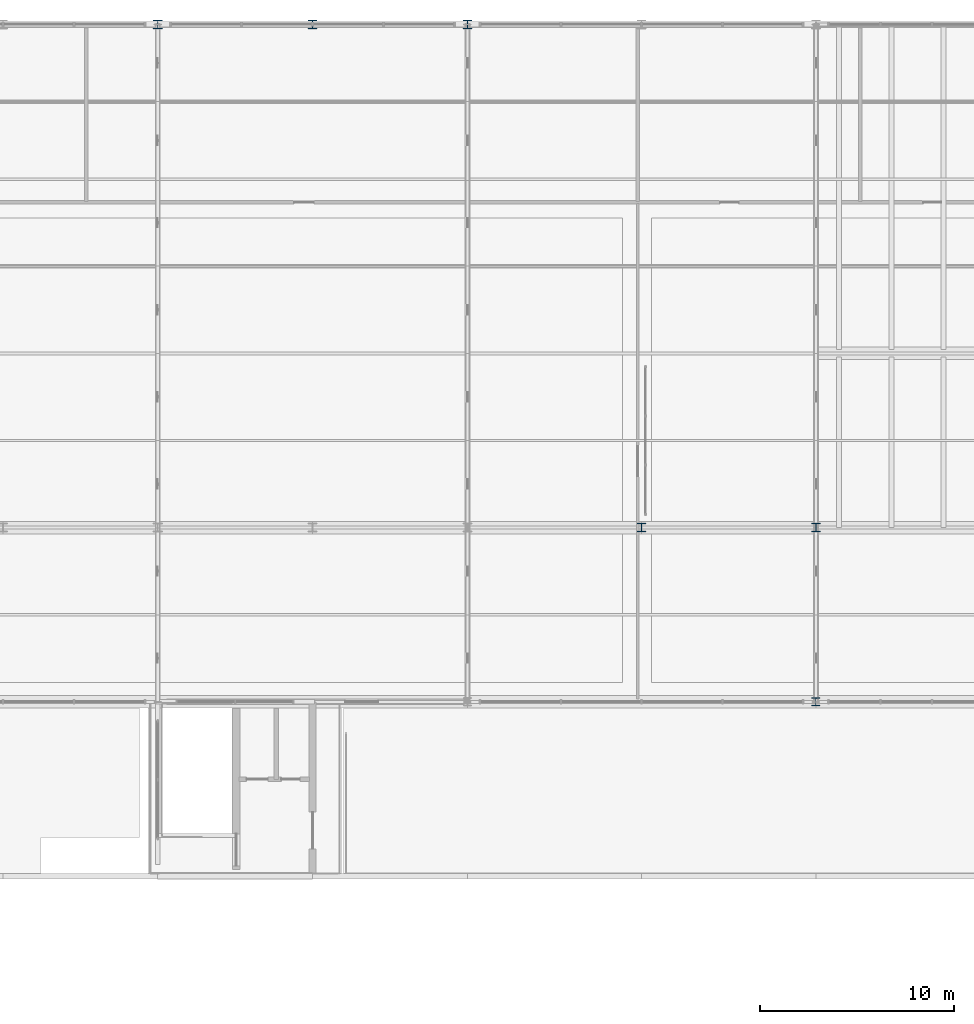
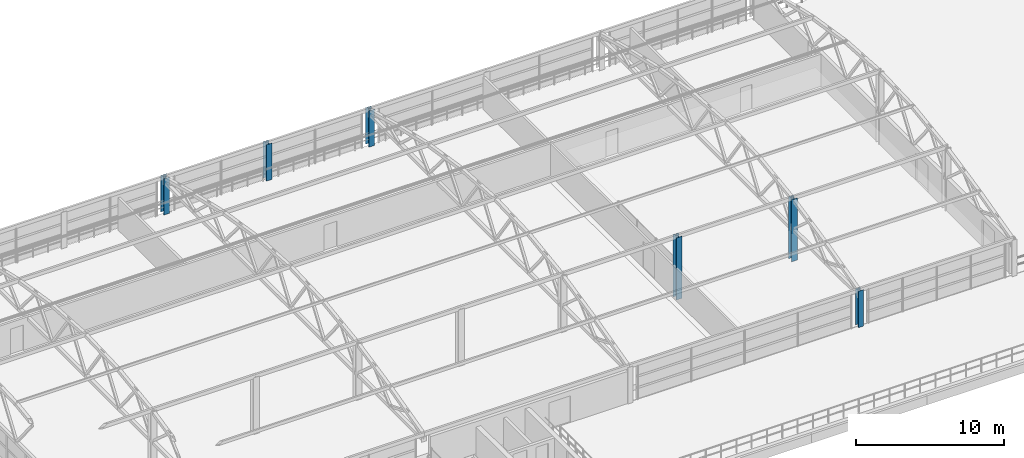
# One storey, part 4 of 50: 6 columns.
"""IFC4 building model written with IfcOpenShell, lengths in metres."""

from ifc_helpers import new_model, si_unit, derived_unit, direction, frame, origin, origin_2d, place, context, subcontext, project, spatial, i_section, extrude, material, material_profile, profile_set, type_object, element, save


model = new_model("IFC4")

# Units and contexts
model_context = context("Model", 3, precision=1e-05, world=origin(), true_north=direction((0.0, 1.0)))
body_context = subcontext(model_context, "Body", "Model", "MODEL_VIEW")
ifc_project = project(units=[si_unit("LENGTHUNIT", "METRE"), si_unit("AREAUNIT", "SQUARE_METRE"), si_unit("VOLUMEUNIT", "CUBIC_METRE"), si_unit("PLANEANGLEUNIT", "RADIAN"), si_unit("MASSUNIT", "GRAM", prefix="KILO"), si_unit("THERMODYNAMICTEMPERATUREUNIT", "KELVIN"), derived_unit("THERMALTRANSMITTANCEUNIT", [(si_unit("POWERUNIT", "WATT"), 1), (si_unit("AREAUNIT", "SQUARE_METRE"), -1), (si_unit("THERMODYNAMICTEMPERATUREUNIT", "KELVIN"), -1)])], contexts=[model_context])

# Site, building, storey
site_placement = place(None, origin())
site = spatial("IfcSite", under=ifc_project, at=site_placement, CompositionType="ELEMENT")
building_placement = place(site_placement, origin())
building = spatial("IfcBuilding", under=site, at=building_placement, Name="Haiyu Intermodal Mobility Hub", CompositionType="ELEMENT")
storey_placement = place(building_placement, frame((0.0, 0.0, 25.10009765625)))
storey = spatial("IfcBuildingStorey", under=building, at=storey_placement, Name="L06", CompositionType="ELEMENT", Elevation=25.10009765625)

# Columns
ifc_material = material(Name="Steel Q355C", Category="steel")
ifc_material_profile_1 = material_profile(ifc_material, i_section(OverallWidth=0.449951171875, OverallDepth=0.449951171875, WebThickness=0.01611328125, FlangeThickness=0.02587890625, FilletRadius=0.02197265625, at=origin_2d()), Name="HW450x450x16x26")
ifc_profile_set_1 = profile_set([ifc_material_profile_1], Name="Steel Q355C")
column_type_1 = type_object("IfcColumnType", Name="COL-SC04", PredefinedType="COLUMN", material=ifc_profile_set_1)
for number, where, z_axis, x_axis, name in (
    (1, (87.0, 122.0, 0.0), (0.0, 0.0, 1.0), (1.0, 0.0, 0.0), "Column V4-10P L06"),
    (2, (96.0, 122.0, 0.0), (0.0, 0.0, 1.0), (1.0, 0.0, 0.0), "Column V4-11P L06"),
):
    element("IfcColumn", number, at=place(storey_placement, frame(where, z_axis=z_axis, x_axis=x_axis)), inside=storey, type_object=column_type_1, Name=name, PredefinedType="COLUMN", context=body_context, shape_type="SweptSolid", body=[
        extrude(i_section(OverallWidth=0.449951171875, OverallDepth=0.449951171875, WebThickness=0.01611328125, FlangeThickness=0.02587890625, FilletRadius=0.02197265625, at=origin_2d()), origin(), (0.0, 0.0, 1.0), 5.121826171875),
    ])
ifc_material_profile_2 = material_profile(ifc_material, i_section(OverallWidth=0.449951171875, OverallDepth=0.449951171875, WebThickness=0.01611328125, FlangeThickness=0.02587890625, FilletRadius=0.02197265625, at=origin_2d()), Name="HW450x450x16x26")
ifc_profile_set_2 = profile_set([ifc_material_profile_2], Name="Steel Q355C")
column_type_2 = type_object("IfcColumnType", Name="COL-SC04-EXT", PredefinedType="COLUMN", material=ifc_profile_set_2)
for number, where, z_axis, x_axis, name in (
    (3, (62.0, 148.0, 0.0), (0.0, 0.0, 1.0), (1.0, 0.0, 0.0), "Column V4-7S L06"),
    (4, (70.0, 148.0, 0.0), (0.0, 0.0, 1.0), (1.0, 0.0, 0.0), "Column V4-8S L06"),
    (5, (78.0, 148.0, 0.0), (0.0, 0.0, 1.0), (1.0, 0.0, 0.0), "Column V4-9S L06"),
):
    element("IfcColumn", number, at=place(storey_placement, frame(where, z_axis=z_axis, x_axis=x_axis)), inside=storey, type_object=column_type_2, Name=name, PredefinedType="COLUMN", context=body_context, shape_type="SweptSolid", body=[
        extrude(i_section(OverallWidth=0.449951171875, OverallDepth=0.449951171875, WebThickness=0.01611328125, FlangeThickness=0.02587890625, FilletRadius=0.02197265625, at=origin_2d()), origin(), (0.0, 0.0, 1.0), 2.989990234375),
    ])
ifc_material_profile_3 = material_profile(ifc_material, i_section(OverallWidth=0.39990234375, OverallDepth=0.39990234375, WebThickness=0.012939453125, FlangeThickness=0.02099609375, FilletRadius=0.02197265625, at=origin_2d()), Name="HW400x400x13x21")
ifc_profile_set_3 = profile_set([ifc_material_profile_3], Name="Steel Q355C")
column_type_3 = type_object("IfcColumnType", Name="COL-SC05", PredefinedType="COLUMN", material=ifc_profile_set_3)
column_placement = place(storey_placement, frame((96.0, 113.0, 0.0), z_axis=(0.0, 0.0, 1.0), x_axis=(1.0, 0.0, 0.0)))
element("IfcColumn", 6, at=column_placement, inside=storey, type_object=column_type_3, Name="Column V3S-11N L06", PredefinedType="COLUMN", context=body_context, shape_type="SweptSolid", body=[
    extrude(i_section(OverallWidth=0.39990234375, OverallDepth=0.39990234375, WebThickness=0.012939453125, FlangeThickness=0.02099609375, FilletRadius=0.02197265625, at=origin_2d()), origin(), (0.0, 0.0, 1.0), 2.989990234375),
])

save(model, "model.ifc")
